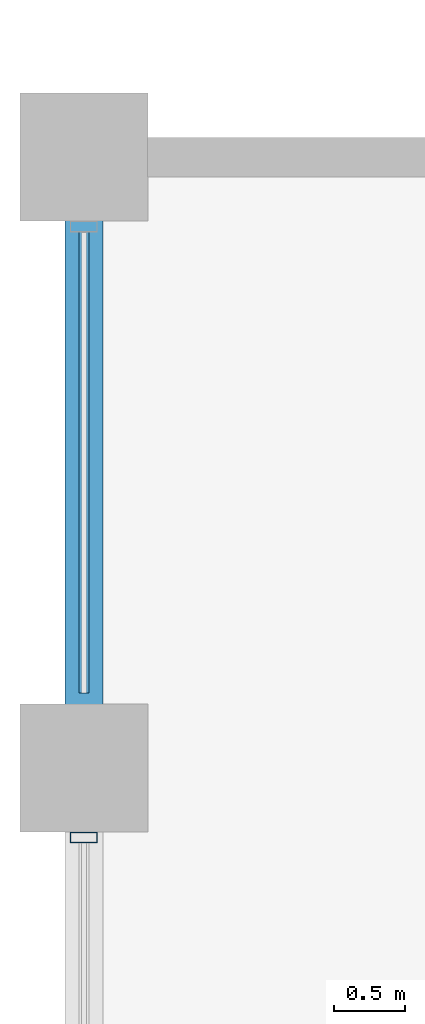
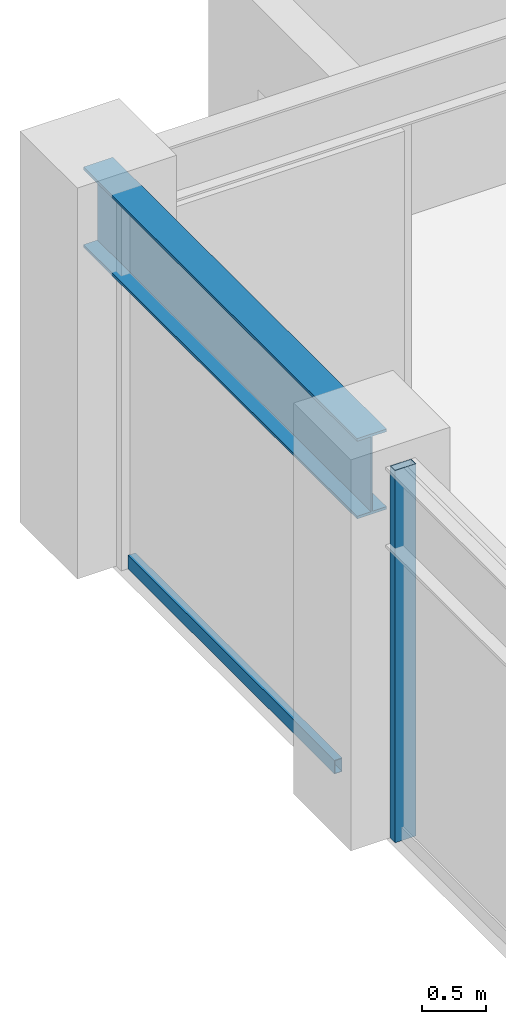
# One storey, part 16 of 32: 2 members, 1 beam, 1 element without a shape of its own.
"""IFC4 building model written with IfcOpenShell, lengths in metres."""

from ifc_helpers import new_model, si_unit, direction, frame, origin, origin_2d, place, context, subcontext, project, spatial, hollow_rectangle, i_section, extrude, material, layer, layer_set, material_profile, profile_set, type_object, element, aggregate, save


model = new_model("IFC4")

# Units and contexts
model_context = context("Model", 3, precision=1e-05, world=origin(), true_north=direction((0.0, 1.0)))
body_context = subcontext(model_context, "Body", "Model", "MODEL_VIEW")
ifc_project = project(units=[si_unit("LENGTHUNIT", "METRE"), si_unit("AREAUNIT", "SQUARE_METRE"), si_unit("VOLUMEUNIT", "CUBIC_METRE"), si_unit("PLANEANGLEUNIT", "RADIAN"), si_unit("MASSUNIT", "GRAM", prefix="KILO")], contexts=[model_context])

# Site, building, storey
site_placement = place(None, origin())
site = spatial("IfcSite", under=ifc_project, at=site_placement, CompositionType="ELEMENT")
building_placement = place(site_placement, origin())
building = spatial("IfcBuilding", under=site, at=building_placement, Name="Surkhivell Harbour Commons", CompositionType="ELEMENT")
storey_placement = place(building_placement, frame((0.0, 0.0, 201.0)))
storey = spatial("IfcBuildingStorey", under=building, at=storey_placement, Name="L52", CompositionType="ELEMENT", Elevation=201.0)

# Beam
ifc_material_1 = material(Name="Steel S355", Category="steel")
ifc_material_profile_1 = material_profile(ifc_material_1, i_section(OverallWidth=0.26806640625, OverallDepth=0.77001953125, WebThickness=0.015625, FlangeThickness=0.025390625, at=origin_2d()), Name="UB762x267x197")
ifc_profile_set_1 = profile_set([ifc_material_profile_1], Name="Steel S355")
beam_type = type_object("IfcBeamType", Name="BM-SPN-762", PredefinedType="SPANDREL", material=ifc_profile_set_1)
beam_placement = place(storey_placement, frame((-27.0, 16.199951171875, 3.18505859375), z_axis=(0.0, 1.0, 0.0), x_axis=(-1.0, 0.0, 0.0)))
element("IfcBeam", 1, at=beam_placement, inside=storey, type_object=beam_type, Name="L52 Tube Spandrel (-27.0,16.2)", PredefinedType="SPANDREL", context=body_context, shape_type="SweptSolid", body=[
    extrude(i_section(OverallWidth=0.26806640625, OverallDepth=0.77001953125, WebThickness=0.015625, FlangeThickness=0.025390625, at=origin_2d()), origin(), (0.0, 0.0, 1.0), 4.300048828125),
])

# Curtain wall, members
ifc_material_2 = material(Name="Anodised pale-metal aluminium and insulated glazing", Category="aluminium")
ifc_layer = layer(ifc_material_2, 0.18994140625)
ifc_layer_set = layer_set([ifc_layer], Name="Anodised pale-metal aluminium and insulated glazing")
curtain_wall_type = type_object("IfcCurtainWallType", Name="CW-SYS-Z3", PredefinedType="NOTDEFINED", material=ifc_layer_set)
curtain_wall_placement = place(storey_placement, origin())
curtain_wall = element("IfcCurtainWall", 2, at=curtain_wall_placement, inside=storey, type_object=curtain_wall_type, Name="L52 Curtain Wall CW-L52-E12S1", PredefinedType="NOTDEFINED")
ifc_material_3 = material(Name="Anodised pale-metal aluminium alloy 6063-T6", Category="aluminium")
ifc_material_profile_2 = material_profile(ifc_material_3, hollow_rectangle(XDim=0.074951171875, YDim=0.18994140625, WallThickness=0.00390625, at=origin_2d()), Name="ALU-MULL-75x190")
ifc_profile_set_2 = profile_set([ifc_material_profile_2], Name="Anodised pale-metal aluminium alloy 6063-T6")
member_type_1 = type_object("IfcMemberType", Name="CWM-190", PredefinedType="MULLION", material=ifc_profile_set_2)
member_1_placement = place(storey_placement, frame((-27.0, 15.71044921875, 0.0), z_axis=(0.0, 0.0, 1.0), x_axis=(0.0, -1.0, 0.0)))
member_1 = element("IfcMember", 3, at=member_1_placement, type_object=member_type_1, Name="CW-Z3 mullion 2", PredefinedType="MULLION", context=body_context, shape_type="SweptSolid", body=[
    extrude(hollow_rectangle(XDim=0.074951171875, YDim=0.18994140625, WallThickness=0.00390625, at=origin_2d()), origin(), (0.0, 0.0, 1.0), 3.570068359375),
])
ifc_material_4 = material(Name="Champagne anodised aluminium alloy 6063-T6", Category="aluminium")
ifc_material_profile_3 = material_profile(ifc_material_4, hollow_rectangle(XDim=0.070068359375, YDim=0.1298828125, WallThickness=0.00341796875, at=origin_2d()), Name="ALU-TRAN-70x130")
ifc_profile_set_3 = profile_set([ifc_material_profile_3], Name="Champagne anodised aluminium alloy 6063-T6")
member_type_2 = type_object("IfcMemberType", Name="CWT-130", PredefinedType="USERDEFINED", material=ifc_profile_set_3)
member_2_placement = place(storey_placement, frame((-27.0, 19.972900390625, 0.06494140625), z_axis=(0.0, -1.0, 0.0), x_axis=(1.0, 0.0, 0.0)))
member_2 = element("IfcMember", 4, at=member_2_placement, type_object=member_type_2, Name="CW-Z3 transom 1.1", ObjectType="TRANSOM", PredefinedType="USERDEFINED", context=body_context, shape_type="SweptSolid", body=[
    extrude(hollow_rectangle(XDim=0.070068359375, YDim=0.1298828125, WallThickness=0.00341796875, at=origin_2d()), origin(), (0.0, 0.0, 1.0), 3.245849609375),
])
aggregate(curtain_wall, [member_2, member_1])

save(model, "model.ifc")
